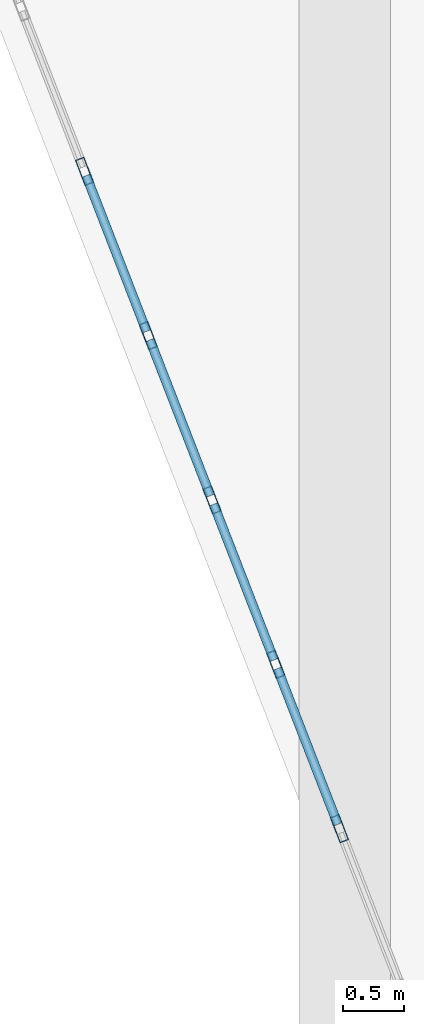
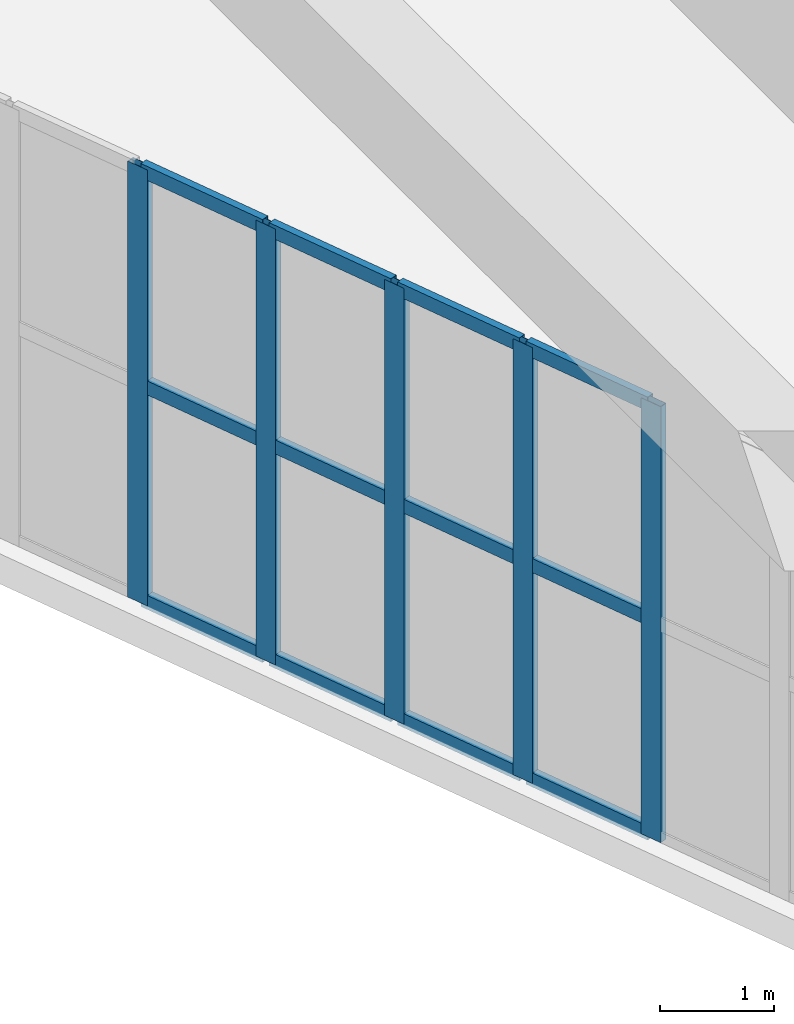
# One storey, part 5 of 35: 17 members, 1 element without a shape of its own.
"""IFC4 building model written with IfcOpenShell, lengths in metres."""

from ifc_helpers import new_model, si_unit, direction, frame, origin, origin_2d, place, context, subcontext, project, spatial, hollow_rectangle, extrude, material, layer, layer_set, material_profile, profile_set, type_object, element, aggregate, save


model = new_model("IFC4")

# Units and contexts
model_context = context("Model", 3, precision=1e-05, world=origin(), true_north=direction((0.0, 1.0)))
body_context = subcontext(model_context, "Body", "Model", "MODEL_VIEW")
ifc_project = project(units=[si_unit("LENGTHUNIT", "METRE"), si_unit("AREAUNIT", "SQUARE_METRE"), si_unit("VOLUMEUNIT", "CUBIC_METRE"), si_unit("PLANEANGLEUNIT", "RADIAN"), si_unit("MASSUNIT", "GRAM", prefix="KILO")], contexts=[model_context])

# Site, building, storey
site_placement = place(None, origin())
site = spatial("IfcSite", under=ifc_project, at=site_placement, CompositionType="ELEMENT")
building_placement = place(site_placement, origin())
building = spatial("IfcBuilding", under=site, at=building_placement, Name="Kilnhurst Terrace Hotel", CompositionType="ELEMENT")
storey_placement = place(building_placement, origin())
storey = spatial("IfcBuildingStorey", under=building, at=storey_placement, Name="L00", CompositionType="ELEMENT", Elevation=0.0)

# Curtain wall, members
ifc_material_1 = material(Name="Anodized Aluminium Alloy 6063-T6 and Low-E Glass", Category="aluminium")
ifc_layer = layer(ifc_material_1, 0.219970703125, Name="Anodized Aluminium Alloy 6063-T6 and Low-E Glass")
ifc_layer_set = layer_set([ifc_layer], Name="Anodized Aluminium Alloy 6063-T6 and Low-E Glass")
curtain_wall_type = type_object("IfcCurtainWallType", Name="CW-POD-LOBBY", PredefinedType="NOTDEFINED", material=ifc_layer_set)
curtain_wall_placement = place(storey_placement, origin())
curtain_wall = element("IfcCurtainWall", 1, at=curtain_wall_placement, inside=storey, type_object=curtain_wall_type, Name="L00 Curtain Wall CW-L00-F6-1", PredefinedType="NOTDEFINED")
ifc_material_2 = material(Name="Extruded Aluminium Alloy 6063-T6", Category="aluminium")
ifc_material_profile_1 = material_profile(ifc_material_2, hollow_rectangle(XDim=0.074951171875, YDim=0.219970703125, WallThickness=0.00390625, at=origin_2d()), Name="CWM75X220")
ifc_profile_set_1 = profile_set([ifc_material_profile_1], Name="Extruded Aluminium Alloy 6063-T6")
member_type_1 = type_object("IfcMemberType", Name="MEM-CWM75X220", PredefinedType="MULLION", material=ifc_profile_set_1)
member_1_placement = place(storey_placement, frame((-29.72509765625, -12.158447265625, 0.0), z_axis=(0.0, 0.0, 1.0), x_axis=(0.932318230572, 0.361638931731, 0.0)))
member_1 = element("IfcMember", 2, at=member_1_placement, type_object=member_type_1, Name="CWL-1 mullion 3", PredefinedType="MULLION", context=body_context, shape_type="SweptSolid", body=[
    extrude(hollow_rectangle(XDim=0.074951171875, YDim=0.219970703125, WallThickness=0.00390625, at=origin_2d()), origin(), (0.0, 0.0, 1.0), 4.64990234375),
])
member_2_placement = place(storey_placement, frame((-29.20458984375, -13.5, 0.0), z_axis=(0.0, 0.0, 1.0), x_axis=(0.932318230572, 0.361638931731, 0.0)))
member_2 = element("IfcMember", 3, at=member_2_placement, type_object=member_type_1, Name="CWL-1 mullion 4", PredefinedType="MULLION", context=body_context, shape_type="SweptSolid", body=[
    extrude(hollow_rectangle(XDim=0.074951171875, YDim=0.219970703125, WallThickness=0.00390625, at=origin_2d()), origin(), (0.0, 0.0, 1.0), 4.64990234375),
])
member_3_placement = place(storey_placement, frame((-28.684326171875, -14.841552734375, 0.0), z_axis=(0.0, 0.0, 1.0), x_axis=(0.932318230572, 0.361638931731, 0.0)))
member_3 = element("IfcMember", 4, at=member_3_placement, type_object=member_type_1, Name="CWL-1 mullion 5", PredefinedType="MULLION", context=body_context, shape_type="SweptSolid", body=[
    extrude(hollow_rectangle(XDim=0.074951171875, YDim=0.219970703125, WallThickness=0.00390625, at=origin_2d()), origin(), (0.0, 0.0, 1.0), 4.64990234375),
])
member_4_placement = place(storey_placement, frame((-28.163818359375, -16.183349609375, 0.0), z_axis=(0.0, 0.0, 1.0), x_axis=(0.932318230572, 0.361638931731, 0.0)))
member_4 = element("IfcMember", 5, at=member_4_placement, type_object=member_type_1, Name="CWL-1 mullion 6", PredefinedType="MULLION", context=body_context, shape_type="SweptSolid", body=[
    extrude(hollow_rectangle(XDim=0.074951171875, YDim=0.219970703125, WallThickness=0.00390625, at=origin_2d()), origin(), (0.0, 0.0, 1.0), 4.64990234375),
])
member_5_placement = place(storey_placement, frame((-27.6435546875, -17.52490234375, 0.0), z_axis=(0.0, 0.0, 1.0), x_axis=(0.932318230572, 0.361638931731, 0.0)))
member_5 = element("IfcMember", 6, at=member_5_placement, type_object=member_type_1, Name="CWL-1 mullion 7", PredefinedType="MULLION", context=body_context, shape_type="SweptSolid", body=[
    extrude(hollow_rectangle(XDim=0.074951171875, YDim=0.219970703125, WallThickness=0.00390625, at=origin_2d()), origin(), (0.0, 0.0, 1.0), 4.64990234375),
])
ifc_material_profile_2 = material_profile(ifc_material_2, hollow_rectangle(XDim=0.074951171875, YDim=0.14990234375, WallThickness=0.00390625, at=origin_2d()), Name="CWT75X150")
ifc_profile_set_2 = profile_set([ifc_material_profile_2], Name="Extruded Aluminium Alloy 6063-T6")
member_type_2 = type_object("IfcMemberType", Name="MEM-CWT75X150", PredefinedType="USERDEFINED", material=ifc_profile_set_2)
member_6_placement = place(storey_placement, frame((-29.71142578125, -12.193359375, 0.03759765625), z_axis=(0.361556432835, -0.932350227048, 0.0), x_axis=(0.932350227048, 0.361556432835, 0.0)))
member_6 = element("IfcMember", 7, at=member_6_placement, type_object=member_type_2, Name="CWL-1 transom 3.1", ObjectType="TRANSOM", PredefinedType="USERDEFINED", context=body_context, shape_type="SweptSolid", body=[
    extrude(hollow_rectangle(XDim=0.074951171875, YDim=0.14990234375, WallThickness=0.00390625, at=origin_2d()), origin(), (0.0, 0.0, 1.0), 1.364013671875),
])
member_7_placement = place(storey_placement, frame((-29.71142578125, -12.193359375, 2.324951171875), z_axis=(0.361556432835, -0.932350227048, 0.0), x_axis=(0.932350227048, 0.361556432835, 0.0)))
member_7 = element("IfcMember", 8, at=member_7_placement, type_object=member_type_2, Name="CWL-1 transom 3.2", ObjectType="TRANSOM", PredefinedType="USERDEFINED", context=body_context, shape_type="SweptSolid", body=[
    extrude(hollow_rectangle(XDim=0.074951171875, YDim=0.14990234375, WallThickness=0.00390625, at=origin_2d()), origin(), (0.0, 0.0, 1.0), 1.364013671875),
])
member_8_placement = place(storey_placement, frame((-29.71142578125, -12.193359375, 4.612548828125), z_axis=(0.361556432835, -0.932350227048, 0.0), x_axis=(0.932350227048, 0.361556432835, 0.0)))
member_8 = element("IfcMember", 9, at=member_8_placement, type_object=member_type_2, Name="CWL-1 transom 3.3", ObjectType="TRANSOM", PredefinedType="USERDEFINED", context=body_context, shape_type="SweptSolid", body=[
    extrude(hollow_rectangle(XDim=0.074951171875, YDim=0.14990234375, WallThickness=0.00390625, at=origin_2d()), origin(), (0.0, 0.0, 1.0), 1.364013671875),
])
member_9_placement = place(storey_placement, frame((-29.191162109375, -13.534912109375, 0.03759765625), z_axis=(0.361712008162, -0.932289881502, 0.0), x_axis=(0.932289881502, 0.361712008162, 0.0)))
member_9 = element("IfcMember", 10, at=member_9_placement, type_object=member_type_2, Name="CWL-1 transom 4.1", ObjectType="TRANSOM", PredefinedType="USERDEFINED", context=body_context, shape_type="SweptSolid", body=[
    extrude(hollow_rectangle(XDim=0.074951171875, YDim=0.14990234375, WallThickness=0.00390625, at=origin_2d()), origin(), (0.0, 0.0, 1.0), 1.364013671875),
])
member_10_placement = place(storey_placement, frame((-29.191162109375, -13.534912109375, 2.324951171875), z_axis=(0.361712008162, -0.932289881502, 0.0), x_axis=(0.932289881502, 0.361712008162, 0.0)))
member_10 = element("IfcMember", 11, at=member_10_placement, type_object=member_type_2, Name="CWL-1 transom 4.2", ObjectType="TRANSOM", PredefinedType="USERDEFINED", context=body_context, shape_type="SweptSolid", body=[
    extrude(hollow_rectangle(XDim=0.074951171875, YDim=0.14990234375, WallThickness=0.00390625, at=origin_2d()), origin(), (0.0, 0.0, 1.0), 1.364013671875),
])
member_11_placement = place(storey_placement, frame((-29.191162109375, -13.534912109375, 4.612548828125), z_axis=(0.361712008162, -0.932289881502, 0.0), x_axis=(0.932289881502, 0.361712008162, 0.0)))
member_11 = element("IfcMember", 12, at=member_11_placement, type_object=member_type_2, Name="CWL-1 transom 4.3", ObjectType="TRANSOM", PredefinedType="USERDEFINED", context=body_context, shape_type="SweptSolid", body=[
    extrude(hollow_rectangle(XDim=0.074951171875, YDim=0.14990234375, WallThickness=0.00390625, at=origin_2d()), origin(), (0.0, 0.0, 1.0), 1.364013671875),
])
member_12_placement = place(storey_placement, frame((-28.670654296875, -14.876708984375, 0.03759765625), z_axis=(0.361616778618, -0.932326823288, 0.0), x_axis=(0.932326823288, 0.361616778618, 0.0)))
member_12 = element("IfcMember", 13, at=member_12_placement, type_object=member_type_2, Name="CWL-1 transom 5.1", ObjectType="TRANSOM", PredefinedType="USERDEFINED", context=body_context, shape_type="SweptSolid", body=[
    extrude(hollow_rectangle(XDim=0.074951171875, YDim=0.14990234375, WallThickness=0.00390625, at=origin_2d()), origin(), (0.0, 0.0, 1.0), 1.36376953125),
])
member_13_placement = place(storey_placement, frame((-28.670654296875, -14.876708984375, 2.324951171875), z_axis=(0.361616778618, -0.932326823288, 0.0), x_axis=(0.932326823288, 0.361616778618, 0.0)))
member_13 = element("IfcMember", 14, at=member_13_placement, type_object=member_type_2, Name="CWL-1 transom 5.2", ObjectType="TRANSOM", PredefinedType="USERDEFINED", context=body_context, shape_type="SweptSolid", body=[
    extrude(hollow_rectangle(XDim=0.074951171875, YDim=0.14990234375, WallThickness=0.00390625, at=origin_2d()), origin(), (0.0, 0.0, 1.0), 1.36376953125),
])
member_14_placement = place(storey_placement, frame((-28.670654296875, -14.876708984375, 4.612548828125), z_axis=(0.361616778618, -0.932326823288, 0.0), x_axis=(0.932326823288, 0.361616778618, 0.0)))
member_14 = element("IfcMember", 15, at=member_14_placement, type_object=member_type_2, Name="CWL-1 transom 5.3", ObjectType="TRANSOM", PredefinedType="USERDEFINED", context=body_context, shape_type="SweptSolid", body=[
    extrude(hollow_rectangle(XDim=0.074951171875, YDim=0.14990234375, WallThickness=0.00390625, at=origin_2d()), origin(), (0.0, 0.0, 1.0), 1.36376953125),
])
member_15_placement = place(storey_placement, frame((-28.150390625, -16.21826171875, 0.03759765625), z_axis=(0.361712008162, -0.932289881502, 0.0), x_axis=(0.932289881502, 0.361712008162, 0.0)))
member_15 = element("IfcMember", 16, at=member_15_placement, type_object=member_type_2, Name="CWL-1 transom 6.1", ObjectType="TRANSOM", PredefinedType="USERDEFINED", context=body_context, shape_type="SweptSolid", body=[
    extrude(hollow_rectangle(XDim=0.074951171875, YDim=0.14990234375, WallThickness=0.00390625, at=origin_2d()), origin(), (0.0, 0.0, 1.0), 1.364013671875),
])
member_16_placement = place(storey_placement, frame((-28.150390625, -16.21826171875, 2.324951171875), z_axis=(0.361712008162, -0.932289881502, 0.0), x_axis=(0.932289881502, 0.361712008162, 0.0)))
member_16 = element("IfcMember", 17, at=member_16_placement, type_object=member_type_2, Name="CWL-1 transom 6.2", ObjectType="TRANSOM", PredefinedType="USERDEFINED", context=body_context, shape_type="SweptSolid", body=[
    extrude(hollow_rectangle(XDim=0.074951171875, YDim=0.14990234375, WallThickness=0.00390625, at=origin_2d()), origin(), (0.0, 0.0, 1.0), 1.364013671875),
])
member_17_placement = place(storey_placement, frame((-28.150390625, -16.21826171875, 4.612548828125), z_axis=(0.361712008162, -0.932289881502, 0.0), x_axis=(0.932289881502, 0.361712008162, 0.0)))
member_17 = element("IfcMember", 18, at=member_17_placement, type_object=member_type_2, Name="CWL-1 transom 6.3", ObjectType="TRANSOM", PredefinedType="USERDEFINED", context=body_context, shape_type="SweptSolid", body=[
    extrude(hollow_rectangle(XDim=0.074951171875, YDim=0.14990234375, WallThickness=0.00390625, at=origin_2d()), origin(), (0.0, 0.0, 1.0), 1.364013671875),
])
aggregate(curtain_wall, [member_1, member_2, member_3, member_4, member_5, member_6, member_7, member_8, member_9, member_10, member_11, member_12, member_13, member_14, member_15, member_16, member_17])

save(model, "model.ifc")
